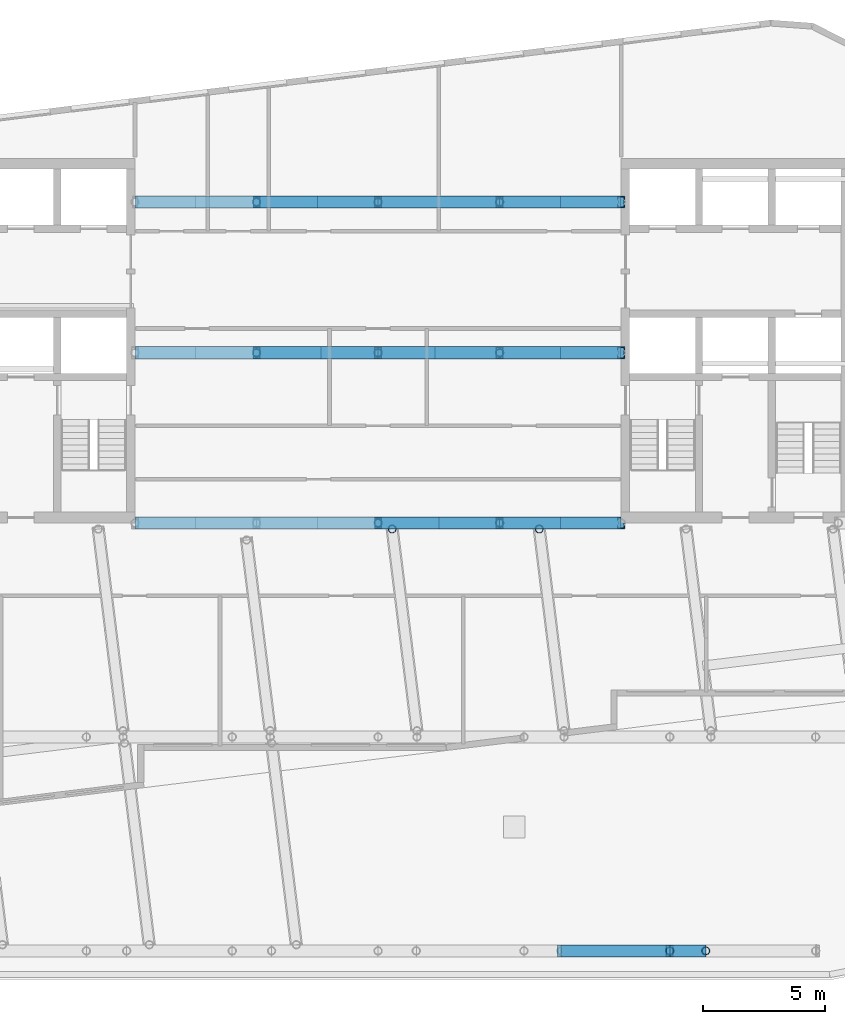
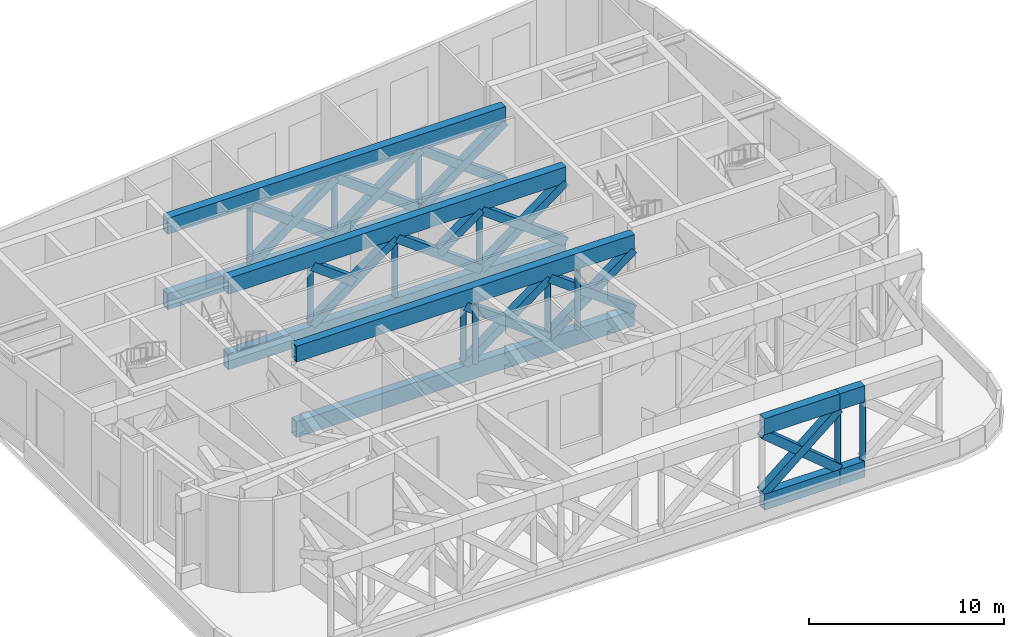
# One storey, part 3 of 16: 30 members, 10 beams.
"""IFC4 building model written with IfcOpenShell, lengths in metres."""

from ifc_helpers import new_model, si_unit, direction, frame, origin, origin_2d, place, context, subcontext, project, spatial, hollow_rectangle, hollow_circle, extrude, material, material_profile, profile_set, type_object, element, save


model = new_model("IFC4")

# Units and contexts
model_context = context("Model", 3, precision=1e-05, world=origin(), true_north=direction((0.0, 1.0)))
body_context = subcontext(model_context, "Body", "Model", "MODEL_VIEW")
ifc_project = project(units=[si_unit("LENGTHUNIT", "METRE"), si_unit("AREAUNIT", "SQUARE_METRE"), si_unit("VOLUMEUNIT", "CUBIC_METRE"), si_unit("PLANEANGLEUNIT", "RADIAN"), si_unit("MASSUNIT", "GRAM", prefix="KILO")], contexts=[model_context])

# Site, building, storey
site_placement = place(None, origin())
site = spatial("IfcSite", under=ifc_project, at=site_placement, CompositionType="ELEMENT")
building_placement = place(site_placement, origin())
building = spatial("IfcBuilding", under=site, at=building_placement, Name="Torana Hotel and Residences", CompositionType="ELEMENT")
storey_placement = place(building_placement, frame((0.0, 0.0, 308.60009765625)))
storey = spatial("IfcBuildingStorey", under=building, at=storey_placement, Name="L82", CompositionType="ELEMENT", Elevation=308.60009765625)

# Beams
ifc_material_1 = material(Name="Steel S355", Category="steel")
ifc_material_profile_1 = material_profile(ifc_material_1, hollow_rectangle(XDim=0.5, YDim=1.0, WallThickness=0.050048828125, at=origin_2d()), Name="BOX 1000x500x50")
ifc_profile_set_1 = profile_set([ifc_material_profile_1], Name="Steel S355")
beam_type = type_object("IfcBeamType", Name="STEEL CHORD BOX 1000x500x50", PredefinedType="BEAM", material=ifc_profile_set_1)
for number, where, z_axis, x_axis, name in (
    (1, (7.527099609375, -32.60009765625, 0.5), (1.0, 0.0, 0.0), (0.0, 1.0, 0.0), "Transfer chord L82"),
    (2, (7.527099609375, -32.60009765625, 5.219970703125), (1.0, 0.0, 0.0), (0.0, 1.0, 0.0), "Transfer chord L82"),
):
    element("IfcBeam", number, at=place(storey_placement, frame(where, z_axis=z_axis, x_axis=x_axis)), inside=storey, type_object=beam_type, Name=name, PredefinedType="BEAM", context=body_context, shape_type="SweptSolid", body=[
        extrude(hollow_rectangle(XDim=0.5, YDim=1.0, WallThickness=0.050048828125, at=origin_2d()), origin(), (0.0, 0.0, 1.0), 4.472900390625),
    ])
for number, where, z_axis, x_axis, name in (
    (3, (12.0, -32.60009765625, 0.5), (1.0, 0.0, 0.0), (0.0, 1.0, 0.0), "Transfer chord L82"),
    (4, (12.0, -32.60009765625, 5.219970703125), (1.0, 0.0, 0.0), (0.0, 1.0, 0.0), "Transfer chord L82"),
):
    element("IfcBeam", number, at=place(storey_placement, frame(where, z_axis=z_axis, x_axis=x_axis)), inside=storey, type_object=beam_type, Name=name, PredefinedType="BEAM", context=body_context, shape_type="SweptSolid", body=[
        extrude(hollow_rectangle(XDim=0.5, YDim=1.0, WallThickness=0.050048828125, at=origin_2d()), origin(), (0.0, 0.0, 1.0), 1.48291015625),
    ])
for number, where, z_axis, x_axis, name in (
    (5, (-10.0, -15.0, 0.5), (1.0, 0.0, 0.0), (0.0, 1.0, 0.0), "Transfer chord L82"),
    (6, (-10.0, -15.0, 5.219970703125), (1.0, 0.0, 0.0), (0.0, 1.0, 0.0), "Transfer chord L82"),
    (7, (-10.0, -8.0, 0.5), (1.0, 0.0, 0.0), (0.0, 1.0, 0.0), "Transfer chord L82"),
    (8, (-10.0, -8.0, 5.219970703125), (1.0, 0.0, 0.0), (0.0, 1.0, 0.0), "Transfer chord L82"),
    (9, (-10.0, -1.800048828125, 0.5), (1.0, 0.0, 0.0), (0.0, 1.0, 0.0), "Transfer chord L82"),
    (10, (-10.0, -1.800048828125, 5.219970703125), (1.0, 0.0, 0.0), (0.0, 1.0, 0.0), "Transfer chord L82"),
):
    element("IfcBeam", number, at=place(storey_placement, frame(where, z_axis=z_axis, x_axis=x_axis)), inside=storey, type_object=beam_type, Name=name, PredefinedType="BEAM", context=body_context, shape_type="SweptSolid", body=[
        extrude(hollow_rectangle(XDim=0.5, YDim=1.0, WallThickness=0.050048828125, at=origin_2d()), origin(), (0.0, 0.0, 1.0), 20.0),
    ])

# Members
ifc_material_2 = material(Name="Steel S355", Category="steel")
ifc_material_profile_2 = material_profile(ifc_material_2, hollow_rectangle(XDim=0.5, YDim=0.5, WallThickness=0.0400390625, at=origin_2d()), Name="BOX 500x500x40")
ifc_profile_set_2 = profile_set([ifc_material_profile_2], Name="Steel S355")
member_type_1 = type_object("IfcMemberType", Name="STEEL DIAGONAL BOX 500x500x40", PredefinedType="BRACE", material=ifc_profile_set_2)
for number, where, z_axis, x_axis, name in (
    (11, (0.0, -15.0, 1.0), (0.802306956603, 0.0, 0.596911674695), (0.0, 1.0, 0.0), "Truss diagonal L82"),
    (12, (5.0, -15.0, 1.0), (-0.802306956603, 0.0, 0.596911674695), (0.0, -1.0, 0.0), "Truss diagonal L82"),
    (13, (5.0, -15.0, 1.0), (0.802306956603, 0.0, 0.596911674695), (0.0, 1.0, 0.0), "Truss diagonal L82"),
    (14, (10.0, -15.0, 1.0), (-0.802306956603, 0.0, 0.596911674695), (0.0, -1.0, 0.0), "Truss diagonal L82"),
    (15, (-5.0, -8.0, 1.0), (0.802306956603, 0.0, 0.596911674695), (0.0, 1.0, 0.0), "Truss diagonal L82"),
):
    element("IfcMember", number, at=place(storey_placement, frame(where, z_axis=z_axis, x_axis=x_axis)), inside=storey, type_object=member_type_1, Name=name, PredefinedType="BRACE", context=body_context, shape_type="SweptSolid", body=[
        extrude(hollow_rectangle(XDim=0.5, YDim=0.5, WallThickness=0.0400390625, at=origin_2d()), origin(), (0.0, 0.0, 1.0), 6.23193359375),
    ])
for number, where, z_axis, x_axis, name in (
    (16, (-2.5, -8.0, 2.85986328125), (-0.802288195418, 0.0, 0.596936890712), (0.0, -1.0, 0.0), "Truss diagonal L82"),
    (17, (2.5, -8.0, 2.85986328125), (0.802288195418, 0.0, 0.596936890712), (0.0, 1.0, 0.0), "Truss diagonal L82"),
):
    element("IfcMember", number, at=place(storey_placement, frame(where, z_axis=z_axis, x_axis=x_axis)), inside=storey, type_object=member_type_1, Name=name, PredefinedType="BRACE", context=body_context, shape_type="SweptSolid", body=[
        extrude(hollow_rectangle(XDim=0.5, YDim=0.5, WallThickness=0.0400390625, at=origin_2d()), origin(), (0.0, 0.0, 1.0), 3.115966796875),
    ])
for number, where, z_axis, x_axis, name in (
    (18, (5.0, -8.0, 1.0), (-0.802306956603, 0.0, 0.596911674695), (0.0, -1.0, 0.0), "Truss diagonal L82"),
    (19, (5.0, -8.0, 1.0), (0.802306956603, 0.0, 0.596911674695), (0.0, 1.0, 0.0), "Truss diagonal L82"),
    (20, (10.0, -8.0, 1.0), (-0.802306956603, 0.0, 0.596911674695), (0.0, -1.0, 0.0), "Truss diagonal L82"),
    (21, (-5.0, -1.800048828125, 1.0), (0.802306956603, 0.0, 0.596911674695), (0.0, 1.0, 0.0), "Truss diagonal L82"),
    (22, (0.0, -1.800048828125, 1.0), (-0.802306956603, 0.0, 0.596911674695), (0.0, -1.0, 0.0), "Truss diagonal L82"),
    (23, (0.0, -1.800048828125, 1.0), (0.802306956603, 0.0, 0.596911674695), (0.0, 1.0, 0.0), "Truss diagonal L82"),
    (24, (5.0, -1.800048828125, 1.0), (-0.802306956603, 0.0, 0.596911674695), (0.0, -1.0, 0.0), "Truss diagonal L82"),
    (25, (5.0, -1.800048828125, 1.0), (0.802306956603, 0.0, 0.596911674695), (0.0, 1.0, 0.0), "Truss diagonal L82"),
    (26, (10.0, -1.800048828125, 1.0), (-0.802306956603, 0.0, 0.596911674695), (0.0, -1.0, 0.0), "Truss diagonal L82"),
):
    element("IfcMember", number, at=place(storey_placement, frame(where, z_axis=z_axis, x_axis=x_axis)), inside=storey, type_object=member_type_1, Name=name, PredefinedType="BRACE", context=body_context, shape_type="SweptSolid", body=[
        extrude(hollow_rectangle(XDim=0.5, YDim=0.5, WallThickness=0.0400390625, at=origin_2d()), origin(), (0.0, 0.0, 1.0), 6.23193359375),
    ])
for number, where, z_axis, x_axis, name in (
    (27, (7.527099609375, -32.60009765625, 1.0), (0.768850391102, 0.0, 0.639428710727), (0.0, 1.0, 0.0), "Truss diagonal L82"),
    (28, (12.0, -32.60009765625, 1.0), (-0.768850391102, 0.0, 0.639428710727), (0.0, -1.0, 0.0), "Truss diagonal L82"),
):
    element("IfcMember", number, at=place(storey_placement, frame(where, z_axis=z_axis, x_axis=x_axis)), inside=storey, type_object=member_type_1, Name=name, PredefinedType="BRACE", context=body_context, shape_type="SweptSolid", body=[
        extrude(hollow_rectangle(XDim=0.5, YDim=0.5, WallThickness=0.0400390625, at=origin_2d()), origin(), (0.0, 0.0, 1.0), 5.817626953125),
    ])
ifc_material_3 = material(Name="Steel S355", Category="steel")
ifc_material_profile_3 = material_profile(ifc_material_3, hollow_circle(Radius=0.161865234375, WallThickness=0.012451171875, at=origin_2d()), Name="323.9x12.5 CHS")
ifc_profile_set_3 = profile_set([ifc_material_profile_3], Name="Steel S355")
member_type_2 = type_object("IfcMemberType", Name="STEEL POST 323.9x12.5 CHS", PredefinedType="POST", material=ifc_profile_set_3)
for number, where, z_axis, x_axis, name in (
    (29, (12.0, -32.60009765625, 1.0), (0.0, 0.0, 1.0), (1.0, 0.0, 0.0), "Truss post L82"),
    (30, (13.47998046875, -32.60009765625, 1.0), (0.0, 0.0, 1.0), (1.0, 0.0, 0.0), "Truss post L82"),
    (31, (0.580078125, -15.25, 1.0), (0.0, 0.0, 1.0), (1.0, 0.0, 0.0), "Truss post L82"),
    (32, (6.6298828125, -15.25, 1.0), (0.0, 0.0, 1.0), (1.0, 0.0, 0.0), "Truss post L82"),
    (33, (0.0, -15.0, 1.0), (0.0, 0.0, 1.0), (1.0, 0.0, 0.0), "Truss post L82"),
    (34, (5.0, -15.0, 1.0), (0.0, 0.0, 1.0), (1.0, 0.0, 0.0), "Truss post L82"),
    (35, (-5.0, -8.0, 1.0), (0.0, 0.0, 1.0), (1.0, 0.0, 0.0), "Truss post L82"),
    (36, (0.0, -8.0, 1.0), (0.0, 0.0, 1.0), (1.0, 0.0, 0.0), "Truss post L82"),
    (37, (5.0, -8.0, 1.0), (0.0, 0.0, 1.0), (1.0, 0.0, 0.0), "Truss post L82"),
    (38, (-5.0, -1.800048828125, 1.0), (0.0, 0.0, 1.0), (1.0, 0.0, 0.0), "Truss post L82"),
    (39, (0.0, -1.800048828125, 1.0), (0.0, 0.0, 1.0), (1.0, 0.0, 0.0), "Truss post L82"),
    (40, (5.0, -1.800048828125, 1.0), (0.0, 0.0, 1.0), (1.0, 0.0, 0.0), "Truss post L82"),
):
    element("IfcMember", number, at=place(storey_placement, frame(where, z_axis=z_axis, x_axis=x_axis)), inside=storey, type_object=member_type_2, Name=name, PredefinedType="POST", context=body_context, shape_type="SweptSolid", body=[
        extrude(hollow_circle(Radius=0.161865234375, WallThickness=0.012451171875, at=origin_2d()), origin(), (0.0, 0.0, 1.0), 3.719970703125),
    ])

save(model, "model.ifc")
